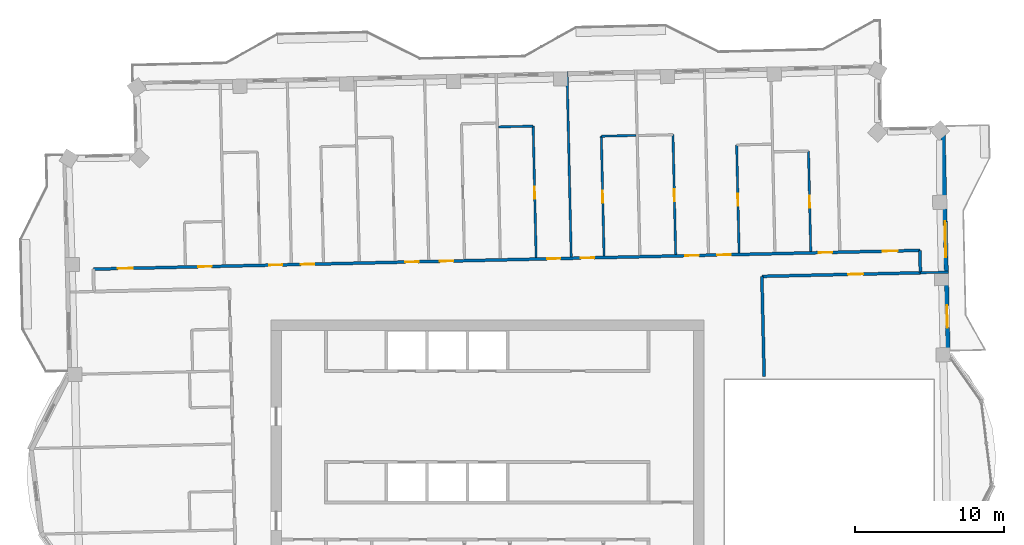
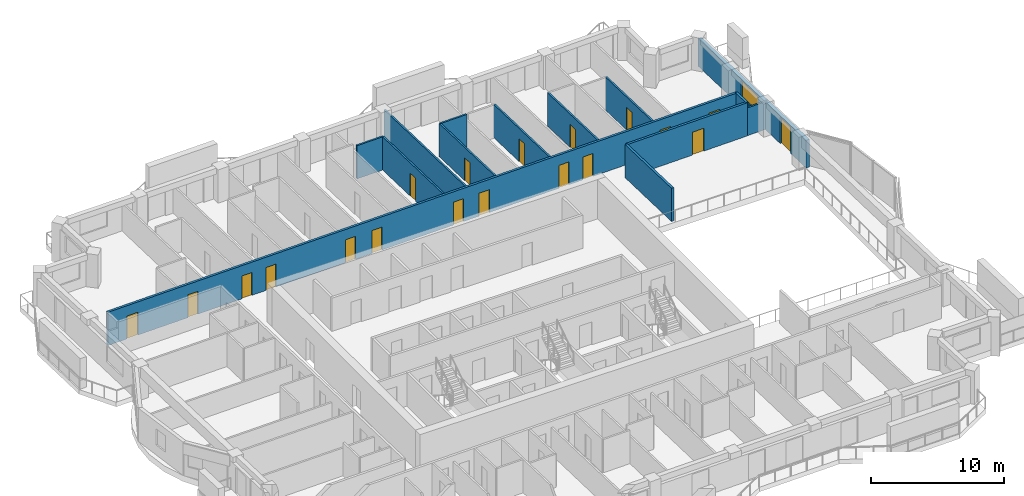
# One storey, part 14 of 19: 19 doors, 14 walls, 1 window, 20 openings.
"""IFC4 building model written with IfcOpenShell, lengths in metres."""

from ifc_helpers import new_model, si_unit, direction, frame, frame_2d, origin, place, context, subcontext, project, spatial, rectangle, extrude, material, layer, layer_set, type_object, element, fill, save


model = new_model("IFC4")

# Units and contexts
model_context = context("Model", 3, precision=1e-05, world=origin(), true_north=direction((0.0, 1.0)))
body_context = subcontext(model_context, "Body", "Model", "MODEL_VIEW")
ifc_project = project(units=[si_unit("LENGTHUNIT", "METRE"), si_unit("AREAUNIT", "SQUARE_METRE"), si_unit("VOLUMEUNIT", "CUBIC_METRE"), si_unit("PLANEANGLEUNIT", "RADIAN"), si_unit("MASSUNIT", "GRAM", prefix="KILO")], contexts=[model_context])

# Site, building, storey
site_placement = place(None, origin())
site = spatial("IfcSite", under=ifc_project, at=site_placement, CompositionType="ELEMENT")
building_placement = place(site_placement, origin())
building = spatial("IfcBuilding", under=site, at=building_placement, Name="Mangrove Gate Tower", CompositionType="ELEMENT")
storey_placement = place(building_placement, frame((0.0, 0.0, 283.5)))
storey = spatial("IfcBuildingStorey", under=building, at=storey_placement, Name="L72", CompositionType="ELEMENT", Elevation=283.5)

# Wall
ifc_material_1 = material(Name="Gypsum board on steel stud, EI 60", Category="steel")
ifc_layer_1 = layer(ifc_material_1, 0.199951171875)
ifc_layer_set_1 = layer_set([ifc_layer_1], Name="Corridor wall EI 60")
wall_type_1 = type_object("IfcWallType", Name="Corridor wall EI 60", PredefinedType="PARTITIONING", material=ifc_layer_set_1)
wall_1_placement = place(storey_placement, frame((18.537109375, 7.714111328125, 0.0), z_axis=(0.0, 0.0, 1.0), x_axis=(-0.022773383809, 0.999740652864, 0.0)))
element("IfcWall", 1, at=wall_1_placement, inside=storey, type_object=wall_type_1, Name="WALL-L72-047", PredefinedType="PARTITIONING", context=body_context, shape_type="SweptSolid", body=[
    extrude(rectangle(XDim=6.7216796875, YDim=0.199951171875, at=frame_2d((3.36083984375, 0.0))), origin(), (0.0, 0.0, 1.0), 3.050048828125),
])

# Wall, opening, door
wall_2_placement = place(storey_placement, frame((18.382080078125, 14.43408203125, 0.0), z_axis=(0.0, 0.0, 1.0), x_axis=(0.999742819156, 0.02267808514, 0.0)))
wall_2 = element("IfcWall", 2, at=wall_2_placement, inside=storey, type_object=wall_type_1, Name="WALL-L72-054", PredefinedType="PARTITIONING", context=body_context, shape_type="SweptSolid", body=[
    extrude(rectangle(XDim=10.62548828125, YDim=0.199951171875, at=frame_2d((5.312744140625, 0.0))), origin(), (0.0, 0.0, 1.0), 3.050048828125),
])
opening_1_placement = place(wall_2_placement, frame((5.777099609375, 0.0, 0.0)))
opening_1 = element("IfcOpeningElement", 3, at=opening_1_placement, cuts=wall_2, Name="Opening AD", PredefinedType="OPENING", context=body_context, shape_type="SweptSolid", body=[
    extrude(rectangle(XDim=1.0, YDim=2.10009765625, at=frame_2d((0.5, 1.050048828125))), frame((0.0, 0.10986328125, 0.0), z_axis=(0.0, -1.0, 0.0), x_axis=(1.0, 0.0, 0.0)), (0.0, 0.0, 1.0), 0.219970703125),
])
ifc_material_2 = material(Name="Timber door leaf", Category="wood")
door_type_1 = type_object("IfcDoorType", Name="Amenity door 1000", OperationType="SINGLE_SWING_LEFT", PredefinedType="DOOR", material=ifc_material_2)
door_1_placement = place(opening_1_placement, origin())
door_1 = element("IfcDoor", 4, at=door_1_placement, inside=storey, type_object=door_type_1, Name="DOOR-L72-GAM-c3a", OperationType="SINGLE_SWING_RIGHT", OverallHeight=2.10009765625, OverallWidth=1.0, PredefinedType="DOOR", context=body_context, shape_type="SweptSolid", body=[
    extrude(rectangle(XDim=1.0, YDim=2.10009765625, at=frame_2d((0.5, 1.050048828125))), frame((0.0, 0.02490234375, 0.0), z_axis=(0.0, -1.0, 0.0), x_axis=(1.0, 0.0, 0.0)), (0.0, 0.0, 1.0), 0.050048828125),
])
fill(opening_1, door_1)

# Wall
wall_3_placement = place(storey_placement, frame((29.001953125, 14.675048828125, 0.0), z_axis=(0.0, 0.0, 1.0), x_axis=(-0.022617910375, 0.999744182344, 0.0)))
element("IfcWall", 5, at=wall_3_placement, inside=storey, type_object=wall_type_1, Name="WALL-L72-055", PredefinedType="PARTITIONING", context=body_context, shape_type="SweptSolid", body=[
    extrude(rectangle(XDim=1.50048828125, YDim=0.199951171875, at=frame_2d((0.750244140625, 0.0))), origin(), (0.0, 0.0, 1.0), 3.050048828125),
])

# Wall, openings, doors
wall_4_placement = place(storey_placement, frame((-26.40087890625, 14.91796875, 0.0), z_axis=(0.0, 0.0, 1.0), x_axis=(0.99974239733, 0.022696673341, 0.0)))
wall_4 = element("IfcWall", 6, at=wall_4_placement, inside=storey, type_object=wall_type_1, Name="WALL-L72-057", PredefinedType="PARTITIONING", context=body_context, shape_type="SweptSolid", body=[
    extrude(rectangle(XDim=55.385986328125, YDim=0.199951171875, at=frame_2d((27.69287109375, 0.0))), origin(), (0.0, 0.0, 1.0), 3.050048828125),
])
opening_2_placement = place(wall_4_placement, frame((52.888916015625, 0.0, 0.0)))
opening_2 = element("IfcOpeningElement", 7, at=opening_2_placement, cuts=wall_4, Name="Opening AD", PredefinedType="OPENING", context=body_context, shape_type="SweptSolid", body=[
    extrude(rectangle(XDim=1.0, YDim=2.10009765625, at=frame_2d((0.5, 1.050048828125))), frame((0.0, 0.10986328125, 0.0), z_axis=(0.0, -1.0, 0.0), x_axis=(1.0, 0.0, 0.0)), (0.0, 0.0, 1.0), 0.219970703125),
])
opening_3_placement = place(wall_4_placement, frame((48.60009765625, 0.0, 0.0)))
opening_3 = element("IfcOpeningElement", 8, at=opening_3_placement, cuts=wall_4, Name="Opening BD", PredefinedType="OPENING", context=body_context, shape_type="SweptSolid", body=[
    extrude(rectangle(XDim=0.89990234375, YDim=2.10009765625, at=frame_2d((0.449951171875, 1.050048828125))), frame((0.0, 0.10986328125, 0.0), z_axis=(0.0, -1.0, 0.0), x_axis=(1.0, 0.0, 0.0)), (0.0, 0.0, 1.0), 0.219970703125),
])
opening_4_placement = place(wall_4_placement, frame((41.800048828125, 0.0, 0.0)))
opening_4 = element("IfcOpeningElement", 9, at=opening_4_placement, cuts=wall_4, Name="Opening BD", PredefinedType="OPENING", context=body_context, shape_type="SweptSolid", body=[
    extrude(rectangle(XDim=0.89990234375, YDim=2.10009765625, at=frame_2d((0.449951171875, 1.050048828125))), frame((0.0, 0.10986328125, 0.0), z_axis=(0.0, -1.0, 0.0), x_axis=(1.0, 0.0, 0.0)), (0.0, 0.0, 1.0), 0.219970703125),
])
opening_5_placement = place(wall_4_placement, frame((39.675048828125, 0.0, 0.0)))
opening_5 = element("IfcOpeningElement", 10, at=opening_5_placement, cuts=wall_4, Name="Opening BD", PredefinedType="OPENING", context=body_context, shape_type="SweptSolid", body=[
    extrude(rectangle(XDim=0.89990234375, YDim=2.10009765625, at=frame_2d((0.449951171875, 1.050048828125))), frame((0.0, 0.10986328125, 0.0), z_axis=(0.0, -1.0, 0.0), x_axis=(1.0, 0.0, 0.0)), (0.0, 0.0, 1.0), 0.219970703125),
])
opening_6_placement = place(wall_4_placement, frame((32.675048828125, 0.0, 0.0)))
opening_6 = element("IfcOpeningElement", 11, at=opening_6_placement, cuts=wall_4, Name="Opening BD", PredefinedType="OPENING", context=body_context, shape_type="SweptSolid", body=[
    extrude(rectangle(XDim=0.89990234375, YDim=2.10009765625, at=frame_2d((0.449951171875, 1.050048828125))), frame((0.0, 0.10986328125, 0.0), z_axis=(0.0, -1.0, 0.0), x_axis=(1.0, 0.0, 0.0)), (0.0, 0.0, 1.0), 0.219970703125),
])
opening_7_placement = place(wall_4_placement, frame((30.39990234375, 0.0, 0.0)))
opening_7 = element("IfcOpeningElement", 12, at=opening_7_placement, cuts=wall_4, Name="Opening BD", PredefinedType="OPENING", context=body_context, shape_type="SweptSolid", body=[
    extrude(rectangle(XDim=0.89990234375, YDim=2.10009765625, at=frame_2d((0.449951171875, 1.050048828125))), frame((0.0, 0.10986328125, 0.0), z_axis=(0.0, -1.0, 0.0), x_axis=(1.0, 0.0, 0.0)), (0.0, 0.0, 1.0), 0.219970703125),
])
opening_8_placement = place(wall_4_placement, frame((23.22509765625, 0.0, 0.0)))
opening_8 = element("IfcOpeningElement", 13, at=opening_8_placement, cuts=wall_4, Name="Opening BD", PredefinedType="OPENING", context=body_context, shape_type="SweptSolid", body=[
    extrude(rectangle(XDim=0.89990234375, YDim=2.10009765625, at=frame_2d((0.449951171875, 1.050048828125))), frame((0.0, 0.10986328125, 0.0), z_axis=(0.0, -1.0, 0.0), x_axis=(1.0, 0.0, 0.0)), (0.0, 0.0, 1.0), 0.219970703125),
])
opening_9_placement = place(wall_4_placement, frame((20.89990234375, 0.0, 0.0)))
opening_9 = element("IfcOpeningElement", 14, at=opening_9_placement, cuts=wall_4, Name="Opening BD", PredefinedType="OPENING", context=body_context, shape_type="SweptSolid", body=[
    extrude(rectangle(XDim=0.89990234375, YDim=2.10009765625, at=frame_2d((0.449951171875, 1.050048828125))), frame((0.0, 0.10986328125, 0.0), z_axis=(0.0, -1.0, 0.0), x_axis=(1.0, 0.0, 0.0)), (0.0, 0.0, 1.0), 0.219970703125),
])
opening_10_placement = place(wall_4_placement, frame((13.89990234375, 0.0, 0.0)))
opening_10 = element("IfcOpeningElement", 15, at=opening_10_placement, cuts=wall_4, Name="Opening BD", PredefinedType="OPENING", context=body_context, shape_type="SweptSolid", body=[
    extrude(rectangle(XDim=0.89990234375, YDim=2.10009765625, at=frame_2d((0.449951171875, 1.050048828125))), frame((0.0, 0.10986328125, 0.0), z_axis=(0.0, -1.0, 0.0), x_axis=(1.0, 0.0, 0.0)), (0.0, 0.0, 1.0), 0.219970703125),
])
opening_11_placement = place(wall_4_placement, frame((11.77490234375, 0.0, 0.0)))
opening_11 = element("IfcOpeningElement", 16, at=opening_11_placement, cuts=wall_4, Name="Opening BD", PredefinedType="OPENING", context=body_context, shape_type="SweptSolid", body=[
    extrude(rectangle(XDim=0.89990234375, YDim=2.10009765625, at=frame_2d((0.449951171875, 1.050048828125))), frame((0.0, 0.10986328125, 0.0), z_axis=(0.0, -1.0, 0.0), x_axis=(1.0, 0.0, 0.0)), (0.0, 0.0, 1.0), 0.219970703125),
])
opening_12_placement = place(wall_4_placement, frame((1.64990234375, 0.0, 0.0)))
opening_12 = element("IfcOpeningElement", 17, at=opening_12_placement, cuts=wall_4, Name="Opening AD", PredefinedType="OPENING", context=body_context, shape_type="SweptSolid", body=[
    extrude(rectangle(XDim=1.0, YDim=2.10009765625, at=frame_2d((0.5, 1.050048828125))), frame((0.0, 0.10986328125, 0.0), z_axis=(0.0, -1.0, 0.0), x_axis=(1.0, 0.0, 0.0)), (0.0, 0.0, 1.0), 0.219970703125),
])
opening_13_placement = place(wall_4_placement, frame((7.02490234375, 0.0, 0.0)))
opening_13 = element("IfcOpeningElement", 18, at=opening_13_placement, cuts=wall_4, Name="Opening SD", PredefinedType="OPENING", context=body_context, shape_type="SweptSolid", body=[
    extrude(rectangle(XDim=0.89990234375, YDim=2.10009765625, at=frame_2d((0.449951171875, 1.050048828125))), frame((0.0, 0.10986328125, 0.0), z_axis=(0.0, -1.0, 0.0), x_axis=(1.0, 0.0, 0.0)), (0.0, 0.0, 1.0), 0.219970703125),
])
door_2_placement = place(opening_2_placement, origin())
door_2 = element("IfcDoor", 19, at=door_2_placement, inside=storey, type_object=door_type_1, Name="DOOR-L72-STU-c3a", OperationType="SINGLE_SWING_LEFT", OverallHeight=2.10009765625, OverallWidth=1.0, PredefinedType="DOOR", context=body_context, shape_type="SweptSolid", body=[
    extrude(rectangle(XDim=1.0, YDim=2.10009765625, at=frame_2d((0.5, 1.050048828125))), frame((0.0, 0.02490234375, 0.0), z_axis=(0.0, -1.0, 0.0), x_axis=(1.0, 0.0, 0.0)), (0.0, 0.0, 1.0), 0.050048828125),
])
fill(opening_2, door_2)
door_3_placement = place(opening_12_placement, origin())
door_3 = element("IfcDoor", 20, at=door_3_placement, inside=storey, type_object=door_type_1, Name="DOOR-L72-LNG-c5a", OperationType="SINGLE_SWING_RIGHT", OverallHeight=2.10009765625, OverallWidth=1.0, PredefinedType="DOOR", context=body_context, shape_type="SweptSolid", body=[
    extrude(rectangle(XDim=1.0, YDim=2.10009765625, at=frame_2d((0.5, 1.050048828125))), frame((0.0, 0.02490234375, 0.0), z_axis=(0.0, -1.0, 0.0), x_axis=(1.0, 0.0, 0.0)), (0.0, 0.0, 1.0), 0.050048828125),
])
fill(opening_12, door_3)
ifc_material_3 = material(Name="Timber door leaf", Category="wood")
door_type_2 = type_object("IfcDoorType", Name="Bedroom door 900", OperationType="SINGLE_SWING_LEFT", PredefinedType="DOOR", material=ifc_material_3)
door_4_placement = place(opening_3_placement, origin())
door_4 = element("IfcDoor", 21, at=door_4_placement, inside=storey, type_object=door_type_2, Name="DOOR-L72-BED-c310", OperationType="SINGLE_SWING_RIGHT", OverallHeight=2.10009765625, OverallWidth=0.89990234375, PredefinedType="DOOR", context=body_context, shape_type="SweptSolid", body=[
    extrude(rectangle(XDim=0.89990234375, YDim=2.10009765625, at=frame_2d((0.449951171875, 1.050048828125))), frame((0.0, 0.02490234375, 0.0), z_axis=(0.0, -1.0, 0.0), x_axis=(1.0, 0.0, 0.0)), (0.0, 0.0, 1.0), 0.050048828125),
])
fill(opening_3, door_4)
door_5_placement = place(opening_4_placement, origin())
door_5 = element("IfcDoor", 22, at=door_5_placement, inside=storey, type_object=door_type_2, Name="DOOR-L72-BED-c311", OperationType="SINGLE_SWING_LEFT", OverallHeight=2.10009765625, OverallWidth=0.89990234375, PredefinedType="DOOR", context=body_context, shape_type="SweptSolid", body=[
    extrude(rectangle(XDim=0.89990234375, YDim=2.10009765625, at=frame_2d((0.449951171875, 1.050048828125))), frame((0.0, 0.02490234375, 0.0), z_axis=(0.0, -1.0, 0.0), x_axis=(1.0, 0.0, 0.0)), (0.0, 0.0, 1.0), 0.050048828125),
])
fill(opening_4, door_5)
door_6_placement = place(opening_5_placement, origin())
door_6 = element("IfcDoor", 23, at=door_6_placement, inside=storey, type_object=door_type_2, Name="DOOR-L72-BED-c412", OperationType="SINGLE_SWING_RIGHT", OverallHeight=2.10009765625, OverallWidth=0.89990234375, PredefinedType="DOOR", context=body_context, shape_type="SweptSolid", body=[
    extrude(rectangle(XDim=0.89990234375, YDim=2.10009765625, at=frame_2d((0.449951171875, 1.050048828125))), frame((0.0, 0.02490234375, 0.0), z_axis=(0.0, -1.0, 0.0), x_axis=(1.0, 0.0, 0.0)), (0.0, 0.0, 1.0), 0.050048828125),
])
fill(opening_5, door_6)
door_7_placement = place(opening_6_placement, origin())
door_7 = element("IfcDoor", 24, at=door_7_placement, inside=storey, type_object=door_type_2, Name="DOOR-L72-BED-c413", OperationType="SINGLE_SWING_LEFT", OverallHeight=2.10009765625, OverallWidth=0.89990234375, PredefinedType="DOOR", context=body_context, shape_type="SweptSolid", body=[
    extrude(rectangle(XDim=0.89990234375, YDim=2.10009765625, at=frame_2d((0.449951171875, 1.050048828125))), frame((0.0, 0.02490234375, 0.0), z_axis=(0.0, -1.0, 0.0), x_axis=(1.0, 0.0, 0.0)), (0.0, 0.0, 1.0), 0.050048828125),
])
fill(opening_6, door_7)
door_8_placement = place(opening_7_placement, origin())
door_8 = element("IfcDoor", 25, at=door_8_placement, inside=storey, type_object=door_type_2, Name="DOOR-L72-BED-c414", OperationType="SINGLE_SWING_RIGHT", OverallHeight=2.10009765625, OverallWidth=0.89990234375, PredefinedType="DOOR", context=body_context, shape_type="SweptSolid", body=[
    extrude(rectangle(XDim=0.89990234375, YDim=2.10009765625, at=frame_2d((0.449951171875, 1.050048828125))), frame((0.0, 0.02490234375, 0.0), z_axis=(0.0, -1.0, 0.0), x_axis=(1.0, 0.0, 0.0)), (0.0, 0.0, 1.0), 0.050048828125),
])
fill(opening_7, door_8)
door_9_placement = place(opening_8_placement, origin())
door_9 = element("IfcDoor", 26, at=door_9_placement, inside=storey, type_object=door_type_2, Name="DOOR-L72-BED-c415", OperationType="SINGLE_SWING_LEFT", OverallHeight=2.10009765625, OverallWidth=0.89990234375, PredefinedType="DOOR", context=body_context, shape_type="SweptSolid", body=[
    extrude(rectangle(XDim=0.89990234375, YDim=2.10009765625, at=frame_2d((0.449951171875, 1.050048828125))), frame((0.0, 0.02490234375, 0.0), z_axis=(0.0, -1.0, 0.0), x_axis=(1.0, 0.0, 0.0)), (0.0, 0.0, 1.0), 0.050048828125),
])
fill(opening_8, door_9)
door_10_placement = place(opening_9_placement, origin())
door_10 = element("IfcDoor", 27, at=door_10_placement, inside=storey, type_object=door_type_2, Name="DOOR-L72-BED-c516", OperationType="SINGLE_SWING_RIGHT", OverallHeight=2.10009765625, OverallWidth=0.89990234375, PredefinedType="DOOR", context=body_context, shape_type="SweptSolid", body=[
    extrude(rectangle(XDim=0.89990234375, YDim=2.10009765625, at=frame_2d((0.449951171875, 1.050048828125))), frame((0.0, 0.02490234375, 0.0), z_axis=(0.0, -1.0, 0.0), x_axis=(1.0, 0.0, 0.0)), (0.0, 0.0, 1.0), 0.050048828125),
])
fill(opening_9, door_10)
door_11_placement = place(opening_10_placement, origin())
door_11 = element("IfcDoor", 28, at=door_11_placement, inside=storey, type_object=door_type_2, Name="DOOR-L72-BED-c517", OperationType="SINGLE_SWING_LEFT", OverallHeight=2.10009765625, OverallWidth=0.89990234375, PredefinedType="DOOR", context=body_context, shape_type="SweptSolid", body=[
    extrude(rectangle(XDim=0.89990234375, YDim=2.10009765625, at=frame_2d((0.449951171875, 1.050048828125))), frame((0.0, 0.02490234375, 0.0), z_axis=(0.0, -1.0, 0.0), x_axis=(1.0, 0.0, 0.0)), (0.0, 0.0, 1.0), 0.050048828125),
])
fill(opening_10, door_11)
door_12_placement = place(opening_11_placement, origin())
door_12 = element("IfcDoor", 29, at=door_12_placement, inside=storey, type_object=door_type_2, Name="DOOR-L72-BED-c518", OperationType="SINGLE_SWING_RIGHT", OverallHeight=2.10009765625, OverallWidth=0.89990234375, PredefinedType="DOOR", context=body_context, shape_type="SweptSolid", body=[
    extrude(rectangle(XDim=0.89990234375, YDim=2.10009765625, at=frame_2d((0.449951171875, 1.050048828125))), frame((0.0, 0.02490234375, 0.0), z_axis=(0.0, -1.0, 0.0), x_axis=(1.0, 0.0, 0.0)), (0.0, 0.0, 1.0), 0.050048828125),
])
fill(opening_11, door_12)
ifc_material_4 = material(Name="Timber door leaf", Category="wood")
door_type_3 = type_object("IfcDoorType", Name="Service room door 900", OperationType="SINGLE_SWING_LEFT", PredefinedType="DOOR", material=ifc_material_4)
door_13_placement = place(opening_13_placement, origin())
door_13 = element("IfcDoor", 30, at=door_13_placement, inside=storey, type_object=door_type_3, Name="DOOR-L72-AWC-c5a", OperationType="SINGLE_SWING_LEFT", OverallHeight=2.10009765625, OverallWidth=0.89990234375, PredefinedType="DOOR", context=body_context, shape_type="SweptSolid", body=[
    extrude(rectangle(XDim=0.89990234375, YDim=2.10009765625, at=frame_2d((0.449951171875, 1.050048828125))), frame((0.0, 0.02490234375, 0.0), z_axis=(0.0, -1.0, 0.0), x_axis=(1.0, 0.0, 0.0)), (0.0, 0.0, 1.0), 0.050048828125),
])
fill(opening_13, door_13)

# Wall, openings, door, window
ifc_material_5 = material(Name="Limestone", Category="masonry")
ifc_layer_2 = layer(ifc_material_5, 0.0400390625, Name="Limestone cladding")
ifc_material_6 = material(Name="Ventilated air gap")
ifc_layer_3 = layer(ifc_material_6, 0.0400390625, Name="Ventilated cavity")
ifc_material_7 = material(Name="Mineral wool insulation")
ifc_layer_4 = layer(ifc_material_7, 0.06005859375, Name="Insulation")
ifc_material_8 = material(Name="Breather membrane")
ifc_layer_5 = layer(ifc_material_8, 0.001953125, Name="Breather membrane")
ifc_material_9 = material(Name="Concrete C20/25 blockwork", Category="masonry")
ifc_layer_6 = layer(ifc_material_9, 0.14990234375, Name="Blockwork backing wall")
ifc_material_10 = material(Name="Gypsum plaster")
ifc_layer_7 = layer(ifc_material_10, 0.008056640625, Name="Internal plaster")
ifc_layer_set_2 = layer_set([ifc_layer_2, ifc_layer_3, ifc_layer_4, ifc_layer_5, ifc_layer_6, ifc_layer_7], Name="External wall 300 limestone cladding")
wall_type_2 = type_object("IfcWallType", Name="External wall 300 limestone cladding", PredefinedType="SOLIDWALL", material=ifc_layer_set_2)
wall_5_placement = place(storey_placement, frame((30.864990234375, 8.716064453125, 0.0), z_axis=(0.0, 0.0, 1.0), x_axis=(-0.022682425427, 0.999742720692, 0.0)))
wall_5 = element("IfcWall", 31, at=wall_5_placement, inside=storey, type_object=wall_type_2, Name="WALL-L72-E2s1", PredefinedType="SOLIDWALL", context=body_context, shape_type="SweptSolid", body=[
    extrude(rectangle(XDim=15.64990234375, YDim=0.300048828125, at=frame_2d((7.824951171875, 0.0))), origin(), (0.0, 0.0, 1.0), 2.550048828125),
])
opening_14_placement = place(wall_5_placement, frame((2.279052734375, 0.0, 0.0)))
opening_14 = element("IfcOpeningElement", 32, at=opening_14_placement, cuts=wall_5, Name="Opening BD1", PredefinedType="OPENING", context=body_context, shape_type="SweptSolid", body=[
    extrude(rectangle(XDim=1.5, YDim=2.39990234375, at=frame_2d((0.75, 1.199951171875))), frame((0.0, 0.159912109375, 0.0), z_axis=(0.0, -1.0, 0.0), x_axis=(1.0, 0.0, 0.0)), (0.0, 0.0, 1.0), 0.320068359375),
])
opening_15_placement = place(wall_5_placement, frame((7.008056640625, 0.0, 0.89990234375)))
opening_15 = element("IfcOpeningElement", 33, at=opening_15_placement, cuts=wall_5, Name="Opening W2", PredefinedType="OPENING", context=body_context, shape_type="SweptSolid", body=[
    extrude(rectangle(XDim=2.39990234375, YDim=1.5, at=frame_2d((1.199951171875, 0.75))), frame((0.0, 0.159912109375, 0.0), z_axis=(0.0, -1.0, 0.0), x_axis=(1.0, 0.0, 0.0)), (0.0, 0.0, 1.0), 0.320068359375),
])
ifc_material_11 = material(Name="Aluminium frame with laminated clear glass", Category="aluminium")
door_type_4 = type_object("IfcDoorType", Name="Balcony sliding door 1500x2400", OperationType="SLIDING_TO_LEFT", PredefinedType="DOOR", material=ifc_material_11)
door_14_placement = place(opening_14_placement, origin())
door_14 = element("IfcDoor", 34, at=door_14_placement, inside=storey, type_object=door_type_4, Name="DOOR-L72-E2-1", OperationType="SLIDING_TO_LEFT", OverallHeight=2.39990234375, OverallWidth=1.5, PredefinedType="DOOR", context=body_context, shape_type="SweptSolid", body=[
    extrude(rectangle(XDim=1.5, YDim=2.39990234375, at=frame_2d((0.75, 1.199951171875))), frame((0.0, 0.02490234375, 0.0), z_axis=(0.0, -1.0, 0.0), x_axis=(1.0, 0.0, 0.0)), (0.0, 0.0, 1.0), 0.050048828125),
])
fill(opening_14, door_14)
ifc_material_12 = material(Name="Aluminium frame with double-glazed low-e glass", Category="aluminium")
window_type = type_object("IfcWindowType", Name="Corner room window 2400x1500", PartitioningType="DOUBLE_PANEL_VERTICAL", PredefinedType="WINDOW", material=ifc_material_12)
window_placement = place(opening_15_placement, origin())
window = element("IfcWindow", 35, at=window_placement, inside=storey, type_object=window_type, Name="WIN-L72-E2-2", OverallHeight=1.5, OverallWidth=2.39990234375, PartitioningType="DOUBLE_PANEL_VERTICAL", PredefinedType="WINDOW", context=body_context, shape_type="SweptSolid", body=[
    extrude(rectangle(XDim=2.39990234375, YDim=1.5, at=frame_2d((1.199951171875, 0.75))), frame((0.0, 0.030029296875, 0.0), z_axis=(0.0, -1.0, 0.0), x_axis=(1.0, 0.0, 0.0)), (0.0, 0.0, 1.0), 0.06005859375),
])
fill(opening_15, window)

# Wall
ifc_material_13 = material(Name="Gypsum board on steel stud, EI 60", Category="steel")
ifc_layer_8 = layer(ifc_material_13, 0.14990234375)
ifc_layer_set_3 = layer_set([ifc_layer_8], Name="Party wall 150 EI 60")
wall_type_3 = type_object("IfcWallType", Name="Party wall 150 EI 60", PredefinedType="PARTITIONING", material=ifc_layer_set_3)
wall_6_placement = place(storey_placement, frame((29.0048828125, 14.675048828125, 0.0), z_axis=(0.0, 0.0, 1.0), x_axis=(0.999737243051, 0.022922583999, 0.0)))
element("IfcWall", 36, at=wall_6_placement, inside=storey, type_object=wall_type_3, Name="WALL-L72-056", PredefinedType="PARTITIONING", context=body_context, shape_type="SweptSolid", body=[
    extrude(rectangle(XDim=1.87451171875, YDim=0.14990234375, at=frame_2d((0.937255859375, 0.0))), origin(), (0.0, 0.0, 1.0), 2.550048828125),
])

# Wall, opening, door
wall_7_placement = place(storey_placement, frame((3.261962890625, 15.69091796875, 0.0), z_axis=(0.0, 0.0, 1.0), x_axis=(-0.022694967989, 0.999742436044, 0.0)))
wall_7 = element("IfcWall", 37, at=wall_7_placement, inside=storey, type_object=wall_type_3, Name="WALL-L72-068", PredefinedType="PARTITIONING", context=body_context, shape_type="SweptSolid", body=[
    extrude(rectangle(XDim=8.810302734375, YDim=0.14990234375, at=frame_2d((4.4052734375, 0.0))), origin(), (0.0, 0.0, 1.0), 3.050048828125),
])
opening_16_placement = place(wall_7_placement, frame((3.955078125, 0.0, 0.0)))
opening_16 = element("IfcOpeningElement", 38, at=opening_16_placement, cuts=wall_7, Name="Opening ED", PredefinedType="OPENING", context=body_context, shape_type="SweptSolid", body=[
    extrude(rectangle(XDim=0.800048828125, YDim=2.10009765625, at=frame_2d((0.39990234375, 1.050048828125))), frame((0.0, 0.0849609375, 0.0), z_axis=(0.0, -1.0, 0.0), x_axis=(1.0, 0.0, 0.0)), (0.0, 0.0, 1.0), 0.169921875),
])
ifc_material_14 = material(Name="Timber door leaf", Category="wood")
door_type_5 = type_object("IfcDoorType", Name="En-suite door 800", OperationType="SINGLE_SWING_LEFT", PredefinedType="DOOR", material=ifc_material_14)
door_15_placement = place(opening_16_placement, origin())
door_15 = element("IfcDoor", 39, at=door_15_placement, inside=storey, type_object=door_type_5, Name="DOOR-L72-ENS-c414", OperationType="SINGLE_SWING_RIGHT", OverallHeight=2.10009765625, OverallWidth=0.800048828125, PredefinedType="DOOR", context=body_context, shape_type="SweptSolid", body=[
    extrude(rectangle(XDim=0.800048828125, YDim=2.10009765625, at=frame_2d((0.39990234375, 1.050048828125))), frame((0.0, 0.02490234375, 0.0), z_axis=(0.0, -1.0, 0.0), x_axis=(1.0, 0.0, 0.0)), (0.0, 0.0, 1.0), 0.050048828125),
])
fill(opening_16, door_15)

# Wall
wall_8_placement = place(storey_placement, frame((5.611083984375, 15.7451171875, 0.0), z_axis=(0.0, 0.0, 1.0), x_axis=(-0.022663260168, 0.999743155335, 0.0)))
element("IfcWall", 40, at=wall_8_placement, inside=storey, type_object=wall_type_3, Name="WALL-L72-069", PredefinedType="PARTITIONING", context=body_context, shape_type="SweptSolid", body=[
    extrude(rectangle(XDim=12.399169921875, YDim=0.14990234375, at=frame_2d((6.19970703125, 0.0))), origin(), (0.0, 0.0, 1.0), 2.5),
])

# Wall, opening, door
wall_9_placement = place(storey_placement, frame((7.81103515625, 15.794921875, 0.0), z_axis=(0.0, 0.0, 1.0), x_axis=(-0.022683416553, 0.999742698205, 0.0)))
wall_9 = element("IfcWall", 41, at=wall_9_placement, inside=storey, type_object=wall_type_3, Name="WALL-L72-070", PredefinedType="PARTITIONING", context=body_context, shape_type="SweptSolid", body=[
    extrude(rectangle(XDim=8.029052734375, YDim=0.14990234375, at=frame_2d((4.0146484375, 0.0))), origin(), (0.0, 0.0, 1.0), 3.050048828125),
])
opening_17_placement = place(wall_9_placement, frame((3.56494140625, 0.0, 0.0)))
opening_17 = element("IfcOpeningElement", 42, at=opening_17_placement, cuts=wall_9, Name="Opening ED", PredefinedType="OPENING", context=body_context, shape_type="SweptSolid", body=[
    extrude(rectangle(XDim=0.800048828125, YDim=2.10009765625, at=frame_2d((0.39990234375, 1.050048828125))), frame((0.0, 0.0849609375, 0.0), z_axis=(0.0, -1.0, 0.0), x_axis=(1.0, 0.0, 0.0)), (0.0, 0.0, 1.0), 0.169921875),
])
door_16_placement = place(opening_17_placement, origin())
door_16 = element("IfcDoor", 43, at=door_16_placement, inside=storey, type_object=door_type_5, Name="DOOR-L72-ENS-c413", OperationType="SINGLE_SWING_LEFT", OverallHeight=2.10009765625, OverallWidth=0.800048828125, PredefinedType="DOOR", context=body_context, shape_type="SweptSolid", body=[
    extrude(rectangle(XDim=0.800048828125, YDim=2.10009765625, at=frame_2d((0.39990234375, 1.050048828125))), frame((0.0, 0.02490234375, 0.0), z_axis=(0.0, -1.0, 0.0), x_axis=(1.0, 0.0, 0.0)), (0.0, 0.0, 1.0), 0.050048828125),
])
fill(opening_17, door_16)

wall_10_placement = place(storey_placement, frame((12.60888671875, 15.903076171875, 0.0), z_axis=(0.0, 0.0, 1.0), x_axis=(-0.022557518047, 0.999745546817, 0.0)))
wall_10 = element("IfcWall", 44, at=wall_10_placement, inside=storey, type_object=wall_type_3, Name="WALL-L72-072", PredefinedType="PARTITIONING", context=body_context, shape_type="SweptSolid", body=[
    extrude(rectangle(XDim=8.019775390625, YDim=0.14990234375, at=frame_2d((4.009765625, 0.0))), origin(), (0.0, 0.0, 1.0), 3.050048828125),
])
opening_18_placement = place(wall_10_placement, frame((3.56005859375, 0.0, 0.0)))
opening_18 = element("IfcOpeningElement", 45, at=opening_18_placement, cuts=wall_10, Name="Opening ED", PredefinedType="OPENING", context=body_context, shape_type="SweptSolid", body=[
    extrude(rectangle(XDim=0.800048828125, YDim=2.10009765625, at=frame_2d((0.39990234375, 1.050048828125))), frame((0.0, 0.0849609375, 0.0), z_axis=(0.0, -1.0, 0.0), x_axis=(1.0, 0.0, 0.0)), (0.0, 0.0, 1.0), 0.169921875),
])
door_17_placement = place(opening_18_placement, origin())
door_17 = element("IfcDoor", 46, at=door_17_placement, inside=storey, type_object=door_type_5, Name="DOOR-L72-ENS-c412", OperationType="SINGLE_SWING_RIGHT", OverallHeight=2.10009765625, OverallWidth=0.800048828125, PredefinedType="DOOR", context=body_context, shape_type="SweptSolid", body=[
    extrude(rectangle(XDim=0.800048828125, YDim=2.10009765625, at=frame_2d((0.39990234375, 1.050048828125))), frame((0.0, 0.02490234375, 0.0), z_axis=(0.0, -1.0, 0.0), x_axis=(1.0, 0.0, 0.0)), (0.0, 0.0, 1.0), 0.050048828125),
])
fill(opening_18, door_17)

wall_11_placement = place(storey_placement, frame((16.85791015625, 16.0, 0.0), z_axis=(0.0, 0.0, 1.0), x_axis=(-0.022627186748, 0.999743972435, 0.0)))
wall_11 = element("IfcWall", 47, at=wall_11_placement, inside=storey, type_object=wall_type_3, Name="WALL-L72-074", PredefinedType="PARTITIONING", context=body_context, shape_type="SweptSolid", body=[
    extrude(rectangle(XDim=7.239990234375, YDim=0.14990234375, at=frame_2d((3.6201171875, 0.0))), origin(), (0.0, 0.0, 1.0), 3.050048828125),
])
opening_19_placement = place(wall_11_placement, frame((3.169921875, 0.0, 0.0)))
opening_19 = element("IfcOpeningElement", 48, at=opening_19_placement, cuts=wall_11, Name="Opening ED", PredefinedType="OPENING", context=body_context, shape_type="SweptSolid", body=[
    extrude(rectangle(XDim=0.800048828125, YDim=2.10009765625, at=frame_2d((0.39990234375, 1.050048828125))), frame((0.0, 0.0849609375, 0.0), z_axis=(0.0, -1.0, 0.0), x_axis=(1.0, 0.0, 0.0)), (0.0, 0.0, 1.0), 0.169921875),
])
door_18_placement = place(opening_19_placement, origin())
door_18 = element("IfcDoor", 49, at=door_18_placement, inside=storey, type_object=door_type_5, Name="DOOR-L72-ENS-c311", OperationType="SINGLE_SWING_LEFT", OverallHeight=2.10009765625, OverallWidth=0.800048828125, PredefinedType="DOOR", context=body_context, shape_type="SweptSolid", body=[
    extrude(rectangle(XDim=0.800048828125, YDim=2.10009765625, at=frame_2d((0.39990234375, 1.050048828125))), frame((0.0, 0.02490234375, 0.0), z_axis=(0.0, -1.0, 0.0), x_axis=(1.0, 0.0, 0.0)), (0.0, 0.0, 1.0), 0.050048828125),
])
fill(opening_19, door_18)

wall_12_placement = place(storey_placement, frame((21.656982421875, 16.10888671875, 0.0), z_axis=(0.0, 0.0, 1.0), x_axis=(-0.022634748998, 0.99974380125, 0.0)))
wall_12 = element("IfcWall", 50, at=wall_12_placement, inside=storey, type_object=wall_type_3, Name="WALL-L72-076", PredefinedType="PARTITIONING", context=body_context, shape_type="SweptSolid", body=[
    extrude(rectangle(XDim=6.7197265625, YDim=0.14990234375, at=frame_2d((3.35986328125, 0.0))), origin(), (0.0, 0.0, 1.0), 3.050048828125),
])
opening_20_placement = place(wall_12_placement, frame((2.909912109375, 0.0, 0.0)))
opening_20 = element("IfcOpeningElement", 51, at=opening_20_placement, cuts=wall_12, Name="Opening ED", PredefinedType="OPENING", context=body_context, shape_type="SweptSolid", body=[
    extrude(rectangle(XDim=0.800048828125, YDim=2.10009765625, at=frame_2d((0.39990234375, 1.050048828125))), frame((0.0, 0.0849609375, 0.0), z_axis=(0.0, -1.0, 0.0), x_axis=(1.0, 0.0, 0.0)), (0.0, 0.0, 1.0), 0.169921875),
])
door_19_placement = place(opening_20_placement, origin())
door_19 = element("IfcDoor", 52, at=door_19_placement, inside=storey, type_object=door_type_5, Name="DOOR-L72-ENS-c310", OperationType="SINGLE_SWING_RIGHT", OverallHeight=2.10009765625, OverallWidth=0.800048828125, PredefinedType="DOOR", context=body_context, shape_type="SweptSolid", body=[
    extrude(rectangle(XDim=0.800048828125, YDim=2.10009765625, at=frame_2d((0.39990234375, 1.050048828125))), frame((0.0, 0.02490234375, 0.0), z_axis=(0.0, -1.0, 0.0), x_axis=(1.0, 0.0, 0.0)), (0.0, 0.0, 1.0), 0.050048828125),
])
fill(opening_20, door_19)

# Walls
for number, where, z_axis, x_axis, name in (
    (53, (7.631103515625, 23.822998046875, 0.0), (0.0, 0.0, 1.0), (0.999749744571, 0.022370700241, 0.0), "WALL-L72-084"),
    (54, (0.739990234375, 24.446044921875, 0.0), (0.0, 0.0, 1.0), (0.999740260747, 0.02279059109, 0.0), "WALL-L72-086"),
):
    element("IfcWall", number, at=place(storey_placement, frame(where, z_axis=z_axis, x_axis=x_axis)), inside=storey, type_object=wall_type_3, Name=name, PredefinedType="PARTITIONING", context=body_context, shape_type="SweptSolid", body=[
        extrude(rectangle(XDim=2.324462890625, YDim=0.14990234375, at=frame_2d((1.162109375, 0.0))), origin(), (0.0, 0.0, 1.0), 3.050048828125),
    ])

save(model, "model.ifc")
